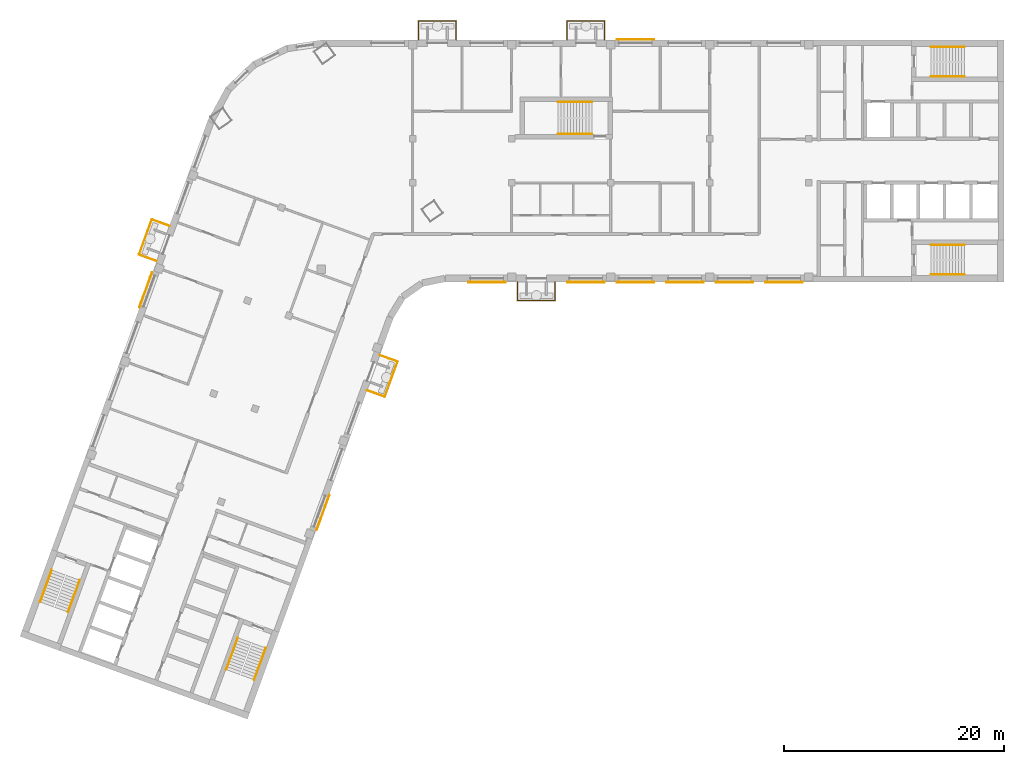
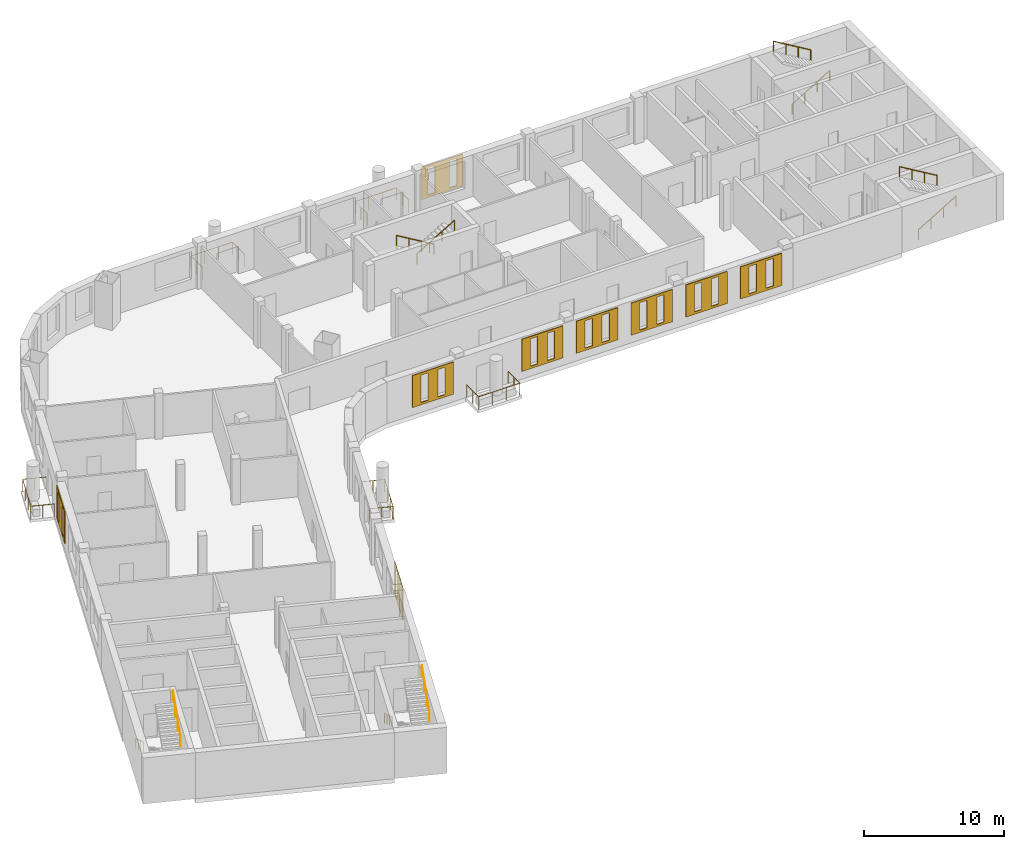
# One storey, part 8 of 10: 15 railings, 9 coverings.
"""IFC4 building model written with IfcOpenShell, lengths in metres."""

from ifc_helpers import new_model, si_unit, direction, frame, origin, origin_2d, place, context, subcontext, project, spatial, polyline, circle, outline, extrude, material, material_profile, profile_set, type_object, element, save


model = new_model("IFC4")

# Units and contexts
model_context = context("Model", 3, precision=1e-05, world=origin(), true_north=direction((0.0, 1.0)))
body_context = subcontext(model_context, "Body", "Model", "MODEL_VIEW")
ifc_project = project(units=[si_unit("LENGTHUNIT", "METRE"), si_unit("AREAUNIT", "SQUARE_METRE"), si_unit("VOLUMEUNIT", "CUBIC_METRE"), si_unit("PLANEANGLEUNIT", "RADIAN"), si_unit("MASSUNIT", "GRAM", prefix="KILO")], contexts=[model_context])

# Site, building, storey
site_placement = place(None, origin())
site = spatial("IfcSite", under=ifc_project, at=site_placement, CompositionType="ELEMENT")
building_placement = place(site_placement, origin())
building = spatial("IfcBuilding", under=site, at=building_placement, Name="Skarvind Civic Tower", CompositionType="ELEMENT")
storey_placement = place(building_placement, frame((0.0, 0.0, 228.0)))
storey = spatial("IfcBuildingStorey", under=building, at=storey_placement, Name="L54", CompositionType="ELEMENT", Elevation=228.0)

# Railings
ifc_material_1 = material(Name="Stainless steel balustrade", Category="steel")
railing_type_1 = type_object("IfcRailingType", Name="GR1 GUARD 1100", PredefinedType="GUARDRAIL", material=ifc_material_1)
railing_1_placement = place(storey_placement, frame((51.274658203125, 110.330322265625, 0.0)))
element("IfcRailing", 1, at=railing_1_placement, inside=storey, type_object=railing_type_1, Name="TREE BALCONY GUARD", PredefinedType="GUARDRAIL", context=body_context, shape_type="SweptSolid", body=[
    extrude(circle(Radius=0.02392578125, at=origin_2d()), frame((0.0, 0.0, 1.076171875), z_axis=(0.939684369409, -0.342042812948, 0.0), x_axis=(0.342042812948, 0.939684369409, 0.0)), (0.0, 0.0, 1.0), 1.7001953125),
    extrude(circle(Radius=0.02392578125, at=origin_2d()), frame((1.59765625, -0.58154296875, 1.076171875), z_axis=(-0.342088971896, -0.93966756638, 0.0), x_axis=(0.93966756638, -0.342088971896, 0.0)), (0.0, 0.0, 1.0), 3.39990234375),
    extrude(circle(Radius=0.02392578125, at=origin_2d()), frame((0.4345703125, -3.7763671875, 1.076171875), z_axis=(-0.93966756638, 0.342088971896, 0.0), x_axis=(-0.342088971896, -0.93966756638, 0.0)), (0.0, 0.0, 1.0), 1.699951171875),
    extrude(circle(Radius=0.02099609375, at=origin_2d()), origin(), (0.0, 0.0, 1.0), 1.052001953125),
    extrude(circle(Radius=0.02099609375, at=origin_2d()), frame((0.798828125, -0.290771484375, 0.0)), (0.0, 0.0, 1.0), 1.052001953125),
    extrude(circle(Radius=0.02099609375, at=origin_2d()), frame((1.59765625, -0.58154296875, 0.0)), (0.0, 0.0, 1.0), 1.052001953125),
    extrude(circle(Radius=0.02099609375, at=origin_2d()), frame((1.2099609375, -1.646484375, 0.0)), (0.0, 0.0, 1.0), 1.052001953125),
    extrude(circle(Radius=0.02099609375, at=origin_2d()), frame((0.822265625, -2.71142578125, 0.0)), (0.0, 0.0, 1.0), 1.052001953125),
    extrude(circle(Radius=0.02099609375, at=origin_2d()), frame((0.4345703125, -3.7763671875, 0.0)), (0.0, 0.0, 1.0), 1.052001953125),
    extrude(circle(Radius=0.02099609375, at=origin_2d()), frame((-0.3642578125, -3.485595703125, 0.0)), (0.0, 0.0, 1.0), 1.052001953125),
    extrude(circle(Radius=0.02099609375, at=origin_2d()), frame((-1.162841796875, -3.19482421875, 0.0)), (0.0, 0.0, 1.0), 1.052001953125),
])
railing_2_placement = place(storey_placement, frame((67.199951171875, 117.0, 0.0)))
element("IfcRailing", 2, at=railing_2_placement, inside=storey, type_object=railing_type_1, Name="TREE BALCONY GUARD", PredefinedType="GUARDRAIL", context=body_context, shape_type="SweptSolid", body=[
    extrude(circle(Radius=0.02392578125, at=origin_2d()), frame((0.0, 0.0, 1.076171875), z_axis=(0.0, -1.0, 0.0), x_axis=(1.0, 0.0, 0.0)), (0.0, 0.0, 1.0), 1.699951171875),
    extrude(circle(Radius=0.02392578125, at=origin_2d()), frame((0.0, -1.699951171875, 1.076171875), z_axis=(-1.0, 0.0, 0.0), x_axis=(0.0, -1.0, 0.0)), (0.0, 0.0, 1.0), 3.39990234375),
    extrude(circle(Radius=0.02392578125, at=origin_2d()), frame((-3.39990234375, -1.699951171875, 1.076171875), z_axis=(0.0, 1.0, 0.0), x_axis=(-1.0, 0.0, 0.0)), (0.0, 0.0, 1.0), 1.699951171875),
    extrude(circle(Radius=0.02099609375, at=origin_2d()), origin(), (0.0, 0.0, 1.0), 1.052001953125),
    extrude(circle(Radius=0.02099609375, at=origin_2d()), frame((0.0, -0.85009765625, 0.0)), (0.0, 0.0, 1.0), 1.052001953125),
    extrude(circle(Radius=0.02099609375, at=origin_2d()), frame((0.0, -1.699951171875, 0.0)), (0.0, 0.0, 1.0), 1.052001953125),
    extrude(circle(Radius=0.02099609375, at=origin_2d()), frame((-1.13330078125, -1.699951171875, 0.0)), (0.0, 0.0, 1.0), 1.052001953125),
    extrude(circle(Radius=0.02099609375, at=origin_2d()), frame((-2.2666015625, -1.699951171875, 0.0)), (0.0, 0.0, 1.0), 1.052001953125),
    extrude(circle(Radius=0.02099609375, at=origin_2d()), frame((-3.39990234375, -1.699951171875, 0.0)), (0.0, 0.0, 1.0), 1.052001953125),
    extrude(circle(Radius=0.02099609375, at=origin_2d()), frame((-3.39990234375, -0.85009765625, 0.0)), (0.0, 0.0, 1.0), 1.052001953125),
    extrude(circle(Radius=0.02099609375, at=origin_2d()), frame((-3.39990234375, 0.0, 0.0)), (0.0, 0.0, 1.0), 1.052001953125),
])
for number, where, name in (
    (3, (54.800048828125, 139.0, 0.0), "TREE BALCONY GUARD"),
    (4, (68.300048828125, 139.0, 0.0), "TREE BALCONY GUARD"),
):
    element("IfcRailing", number, at=place(storey_placement, frame(where)), inside=storey, type_object=railing_type_1, Name=name, PredefinedType="GUARDRAIL", context=body_context, shape_type="SweptSolid", body=[
        extrude(circle(Radius=0.02392578125, at=origin_2d()), frame((0.0, 0.0, 1.076171875), z_axis=(0.0, 1.0, 0.0), x_axis=(-1.0, 0.0, 0.0)), (0.0, 0.0, 1.0), 1.699951171875),
        extrude(circle(Radius=0.02392578125, at=origin_2d()), frame((0.0, 1.699951171875, 1.076171875), z_axis=(1.0, 0.0, 0.0), x_axis=(0.0, 1.0, 0.0)), (0.0, 0.0, 1.0), 3.39990234375),
        extrude(circle(Radius=0.02392578125, at=origin_2d()), frame((3.39990234375, 1.699951171875, 1.076171875), z_axis=(0.0, -1.0, 0.0), x_axis=(1.0, 0.0, 0.0)), (0.0, 0.0, 1.0), 1.699951171875),
        extrude(circle(Radius=0.02099609375, at=origin_2d()), origin(), (0.0, 0.0, 1.0), 1.052001953125),
        extrude(circle(Radius=0.02099609375, at=origin_2d()), frame((0.0, 0.85009765625, 0.0)), (0.0, 0.0, 1.0), 1.052001953125),
        extrude(circle(Radius=0.02099609375, at=origin_2d()), frame((0.0, 1.699951171875, 0.0)), (0.0, 0.0, 1.0), 1.052001953125),
        extrude(circle(Radius=0.02099609375, at=origin_2d()), frame((1.13330078125, 1.699951171875, 0.0)), (0.0, 0.0, 1.0), 1.052001953125),
        extrude(circle(Radius=0.02099609375, at=origin_2d()), frame((2.2666015625, 1.699951171875, 0.0)), (0.0, 0.0, 1.0), 1.052001953125),
        extrude(circle(Radius=0.02099609375, at=origin_2d()), frame((3.39990234375, 1.699951171875, 0.0)), (0.0, 0.0, 1.0), 1.052001953125),
        extrude(circle(Radius=0.02099609375, at=origin_2d()), frame((3.39990234375, 0.85009765625, 0.0)), (0.0, 0.0, 1.0), 1.052001953125),
        extrude(circle(Radius=0.02099609375, at=origin_2d()), frame((3.39990234375, 0.0, 0.0)), (0.0, 0.0, 1.0), 1.052001953125),
    ])
railing_3_placement = place(storey_placement, frame((30.977783203125, 118.888427734375, 0.0)))
element("IfcRailing", 5, at=railing_3_placement, inside=storey, type_object=railing_type_1, Name="TREE BALCONY GUARD", PredefinedType="GUARDRAIL", context=body_context, shape_type="SweptSolid", body=[
    extrude(circle(Radius=0.02392578125, at=origin_2d()), frame((0.0, 0.0, 1.076171875), z_axis=(-0.939684369409, 0.342042812948, 0.0), x_axis=(-0.342042812948, -0.939684369409, 0.0)), (0.0, 0.0, 1.0), 1.7001953125),
    extrude(circle(Radius=0.02392578125, at=origin_2d()), frame((-1.59765625, 0.58154296875, 1.076171875), z_axis=(0.342088971896, 0.93966756638, 0.0), x_axis=(-0.93966756638, 0.342088971896, 0.0)), (0.0, 0.0, 1.0), 3.39990234375),
    extrude(circle(Radius=0.02392578125, at=origin_2d()), frame((-0.4345703125, 3.7763671875, 1.076171875), z_axis=(0.939713724856, -0.341962154804, 0.0), x_axis=(0.341962154804, 0.939713724856, 0.0)), (0.0, 0.0, 1.0), 1.699951171875),
    extrude(circle(Radius=0.02099609375, at=origin_2d()), origin(), (0.0, 0.0, 1.0), 1.052001953125),
    extrude(circle(Radius=0.02099609375, at=origin_2d()), frame((-0.798828125, 0.290771484375, 0.0)), (0.0, 0.0, 1.0), 1.052001953125),
    extrude(circle(Radius=0.02099609375, at=origin_2d()), frame((-1.59765625, 0.58154296875, 0.0)), (0.0, 0.0, 1.0), 1.052001953125),
    extrude(circle(Radius=0.02099609375, at=origin_2d()), frame((-1.2099609375, 1.646484375, 0.0)), (0.0, 0.0, 1.0), 1.052001953125),
    extrude(circle(Radius=0.02099609375, at=origin_2d()), frame((-0.822265625, 2.71142578125, 0.0)), (0.0, 0.0, 1.0), 1.052001953125),
    extrude(circle(Radius=0.02099609375, at=origin_2d()), frame((-0.4345703125, 3.7763671875, 0.0)), (0.0, 0.0, 1.0), 1.052001953125),
    extrude(circle(Radius=0.02099609375, at=origin_2d()), frame((0.3642578125, 3.48583984375, 0.0)), (0.0, 0.0, 1.0), 1.052001953125),
    extrude(circle(Radius=0.02099609375, at=origin_2d()), frame((1.162841796875, 3.195068359375, 0.0)), (0.0, 0.0, 1.0), 1.052001953125),
])
ifc_material_2 = material(Name="Painted steel handrail", Category="steel")
railing_type_2 = type_object("IfcRailingType", Name="Stair handrail 900", PredefinedType="HANDRAIL", material=ifc_material_2)
railing_4_placement = place(storey_placement, frame((101.35009765625, 135.64990234375, 0.166748046875)))
element("IfcRailing", 6, at=railing_4_placement, inside=storey, type_object=railing_type_2, Name="Stair handrail", PredefinedType="HANDRAIL", context=body_context, shape_type="SweptSolid", body=[
    extrude(circle(Radius=0.02392578125, at=origin_2d()), frame((0.0, 0.0, 0.8759765625), z_axis=(0.859290745958, 0.0, 0.51148745235), x_axis=(0.0, 1.0, 0.0)), (0.0, 0.0, 1.0), 3.584228515625),
    extrude(circle(Radius=0.02099609375, at=origin_2d()), origin(), (0.0, 0.0, 1.0), 0.851806640625),
    extrude(circle(Radius=0.02099609375, at=origin_2d()), frame((1.026611328125, 0.0, 0.611083984375)), (0.0, 0.0, 1.0), 0.851806640625),
    extrude(circle(Radius=0.02099609375, at=origin_2d()), frame((2.05322265625, 0.0, 1.22216796875)), (0.0, 0.0, 1.0), 0.851806640625),
    extrude(circle(Radius=0.02099609375, at=origin_2d()), frame((3.079833984375, 0.0, 1.833251953125)), (0.0, 0.0, 1.0), 0.851806640625),
])
railing_5_placement = place(storey_placement, frame((104.429931640625, 138.35009765625, 2.166748046875)))
element("IfcRailing", 7, at=railing_5_placement, inside=storey, type_object=railing_type_2, Name="Stair handrail", PredefinedType="HANDRAIL", context=body_context, shape_type="SweptSolid", body=[
    extrude(circle(Radius=0.02392578125, at=origin_2d()), frame((0.0, 0.0, 0.8759765625), z_axis=(-0.859290745958, 0.0, 0.51148745235), x_axis=(0.0, -1.0, 0.0)), (0.0, 0.0, 1.0), 3.584228515625),
    extrude(circle(Radius=0.02099609375, at=origin_2d()), origin(), (0.0, 0.0, 1.0), 0.851806640625),
    extrude(circle(Radius=0.02099609375, at=origin_2d()), frame((-1.026611328125, 0.0, 0.611083984375)), (0.0, 0.0, 1.0), 0.851806640625),
    extrude(circle(Radius=0.02099609375, at=origin_2d()), frame((-2.05322265625, 0.0, 1.22216796875)), (0.0, 0.0, 1.0), 0.851806640625),
    extrude(circle(Radius=0.02099609375, at=origin_2d()), frame((-3.079833984375, 0.0, 1.833251953125)), (0.0, 0.0, 1.0), 0.851806640625),
])
railing_6_placement = place(storey_placement, frame((101.35009765625, 117.64990234375, 0.166748046875)))
element("IfcRailing", 8, at=railing_6_placement, inside=storey, type_object=railing_type_2, Name="Stair handrail", PredefinedType="HANDRAIL", context=body_context, shape_type="SweptSolid", body=[
    extrude(circle(Radius=0.02392578125, at=origin_2d()), frame((0.0, 0.0, 0.8759765625), z_axis=(0.859290745958, 0.0, 0.51148745235), x_axis=(0.0, 1.0, 0.0)), (0.0, 0.0, 1.0), 3.584228515625),
    extrude(circle(Radius=0.02099609375, at=origin_2d()), origin(), (0.0, 0.0, 1.0), 0.851806640625),
    extrude(circle(Radius=0.02099609375, at=origin_2d()), frame((1.026611328125, 0.0, 0.611083984375)), (0.0, 0.0, 1.0), 0.851806640625),
    extrude(circle(Radius=0.02099609375, at=origin_2d()), frame((2.05322265625, 0.0, 1.22216796875)), (0.0, 0.0, 1.0), 0.851806640625),
    extrude(circle(Radius=0.02099609375, at=origin_2d()), frame((3.079833984375, 0.0, 1.833251953125)), (0.0, 0.0, 1.0), 0.851806640625),
])
railing_7_placement = place(storey_placement, frame((104.429931640625, 120.35009765625, 2.166748046875)))
element("IfcRailing", 9, at=railing_7_placement, inside=storey, type_object=railing_type_2, Name="Stair handrail", PredefinedType="HANDRAIL", context=body_context, shape_type="SweptSolid", body=[
    extrude(circle(Radius=0.02392578125, at=origin_2d()), frame((0.0, 0.0, 0.8759765625), z_axis=(-0.859290745958, 0.0, 0.51148745235), x_axis=(0.0, -1.0, 0.0)), (0.0, 0.0, 1.0), 3.584228515625),
    extrude(circle(Radius=0.02099609375, at=origin_2d()), origin(), (0.0, 0.0, 1.0), 0.851806640625),
    extrude(circle(Radius=0.02099609375, at=origin_2d()), frame((-1.026611328125, 0.0, 0.611083984375)), (0.0, 0.0, 1.0), 0.851806640625),
    extrude(circle(Radius=0.02099609375, at=origin_2d()), frame((-2.05322265625, 0.0, 1.22216796875)), (0.0, 0.0, 1.0), 0.851806640625),
    extrude(circle(Radius=0.02099609375, at=origin_2d()), frame((-3.079833984375, 0.0, 1.833251953125)), (0.0, 0.0, 1.0), 0.851806640625),
])
railing_8_placement = place(storey_placement, frame((38.362060546875, 84.64794921875, 0.166748046875)))
element("IfcRailing", 10, at=railing_8_placement, inside=storey, type_object=railing_type_2, Name="Stair handrail", PredefinedType="HANDRAIL", context=body_context, shape_type="SweptSolid", body=[
    extrude(circle(Radius=0.02392578125, at=origin_2d()), frame((0.0, 0.0, 0.8759765625), z_axis=(-0.293908055923, -0.807480881337, 0.511461319103), x_axis=(0.939689235759, -0.342029443467, 0.0)), (0.0, 0.0, 1.0), 3.584228515625),
    extrude(circle(Radius=0.02099609375, at=origin_2d()), origin(), (0.0, 0.0, 1.0), 0.851806640625),
    extrude(circle(Radius=0.02099609375, at=origin_2d()), frame((-0.35107421875, -0.96484375, 0.611083984375)), (0.0, 0.0, 1.0), 0.851806640625),
    extrude(circle(Radius=0.02099609375, at=origin_2d()), frame((-0.702392578125, -1.929443359375, 1.22216796875)), (0.0, 0.0, 1.0), 0.851806640625),
    extrude(circle(Radius=0.02099609375, at=origin_2d()), frame((-1.053466796875, -2.894287109375, 1.833251953125)), (0.0, 0.0, 1.0), 0.851806640625),
])
railing_9_placement = place(storey_placement, frame((39.845703125, 80.830078125, 2.166748046875)))
element("IfcRailing", 11, at=railing_9_placement, inside=storey, type_object=railing_type_2, Name="Stair handrail", PredefinedType="HANDRAIL", context=body_context, shape_type="SweptSolid", body=[
    extrude(circle(Radius=0.02392578125, at=origin_2d()), frame((0.0, 0.0, 0.8759765625), z_axis=(0.293908055923, 0.807480881337, 0.511461319103), x_axis=(-0.939689235759, 0.342029443467, 0.0)), (0.0, 0.0, 1.0), 3.584228515625),
    extrude(circle(Radius=0.02099609375, at=origin_2d()), origin(), (0.0, 0.0, 1.0), 0.851806640625),
    extrude(circle(Radius=0.02099609375, at=origin_2d()), frame((0.35107421875, 0.96484375, 0.611083984375)), (0.0, 0.0, 1.0), 0.851806640625),
    extrude(circle(Radius=0.02099609375, at=origin_2d()), frame((0.702392578125, 1.929443359375, 1.22216796875)), (0.0, 0.0, 1.0), 0.851806640625),
    extrude(circle(Radius=0.02099609375, at=origin_2d()), frame((1.053466796875, 2.894287109375, 1.833251953125)), (0.0, 0.0, 1.0), 0.851806640625),
])
railing_10_placement = place(storey_placement, frame((21.447509765625, 90.80419921875, 0.166748046875)))
element("IfcRailing", 12, at=railing_10_placement, inside=storey, type_object=railing_type_2, Name="Stair handrail", PredefinedType="HANDRAIL", context=body_context, shape_type="SweptSolid", body=[
    extrude(circle(Radius=0.02392578125, at=origin_2d()), frame((0.0, 0.0, 0.8759765625), z_axis=(-0.293845824691, -0.807497044902, 0.511471557163), x_axis=(0.939714709796, -0.34195944817, 0.0)), (0.0, 0.0, 1.0), 3.584228515625),
    extrude(circle(Radius=0.02099609375, at=origin_2d()), origin(), (0.0, 0.0, 1.0), 0.851806640625),
    extrude(circle(Radius=0.02099609375, at=origin_2d()), frame((-0.35107421875, -0.96484375, 0.611083984375)), (0.0, 0.0, 1.0), 0.851806640625),
    extrude(circle(Radius=0.02099609375, at=origin_2d()), frame((-0.7021484375, -1.929443359375, 1.22216796875)), (0.0, 0.0, 1.0), 0.851806640625),
    extrude(circle(Radius=0.02099609375, at=origin_2d()), frame((-1.05322265625, -2.894287109375, 1.833251953125)), (0.0, 0.0, 1.0), 0.851806640625),
])
railing_11_placement = place(storey_placement, frame((22.931396484375, 86.986572265625, 2.166748046875)))
element("IfcRailing", 13, at=railing_11_placement, inside=storey, type_object=railing_type_2, Name="Stair handrail", PredefinedType="HANDRAIL", context=body_context, shape_type="SweptSolid", body=[
    extrude(circle(Radius=0.02392578125, at=origin_2d()), frame((0.0, 0.0, 0.8759765625), z_axis=(0.293908055923, 0.807480881337, 0.511461319103), x_axis=(-0.939689235759, 0.342029443467, 0.0)), (0.0, 0.0, 1.0), 3.584228515625),
    extrude(circle(Radius=0.02099609375, at=origin_2d()), origin(), (0.0, 0.0, 1.0), 0.851806640625),
    extrude(circle(Radius=0.02099609375, at=origin_2d()), frame((0.35107421875, 0.96484375, 0.611083984375)), (0.0, 0.0, 1.0), 0.851806640625),
    extrude(circle(Radius=0.02099609375, at=origin_2d()), frame((0.702392578125, 1.929443359375, 1.22216796875)), (0.0, 0.0, 1.0), 0.851806640625),
    extrude(circle(Radius=0.02099609375, at=origin_2d()), frame((1.053466796875, 2.894287109375, 1.833251953125)), (0.0, 0.0, 1.0), 0.851806640625),
])
railing_12_placement = place(storey_placement, frame((70.550048828125, 133.35009765625, 0.166748046875)))
element("IfcRailing", 14, at=railing_12_placement, inside=storey, type_object=railing_type_2, Name="Stair handrail", PredefinedType="HANDRAIL", context=body_context, shape_type="SweptSolid", body=[
    extrude(circle(Radius=0.02392578125, at=origin_2d()), frame((0.0, 0.0, 0.8759765625), z_axis=(-0.859308565015, 0.0, 0.511457515432), x_axis=(0.0, -1.0, 0.0)), (0.0, 0.0, 1.0), 3.58447265625),
    extrude(circle(Radius=0.02099609375, at=origin_2d()), origin(), (0.0, 0.0, 1.0), 0.851806640625),
    extrude(circle(Radius=0.02099609375, at=origin_2d()), frame((-1.026611328125, 0.0, 0.611083984375)), (0.0, 0.0, 1.0), 0.851806640625),
    extrude(circle(Radius=0.02099609375, at=origin_2d()), frame((-2.053466796875, 0.0, 1.22216796875)), (0.0, 0.0, 1.0), 0.851806640625),
    extrude(circle(Radius=0.02099609375, at=origin_2d()), frame((-3.080078125, 0.0, 1.833251953125)), (0.0, 0.0, 1.0), 0.851806640625),
])
railing_13_placement = place(storey_placement, frame((67.469970703125, 130.449951171875, 2.166748046875)))
element("IfcRailing", 15, at=railing_13_placement, inside=storey, type_object=railing_type_2, Name="Stair handrail", PredefinedType="HANDRAIL", context=body_context, shape_type="SweptSolid", body=[
    extrude(circle(Radius=0.02392578125, at=origin_2d()), frame((0.0, 0.0, 0.8759765625), z_axis=(0.859308565015, 0.0, 0.511457515432), x_axis=(0.0, 1.0, 0.0)), (0.0, 0.0, 1.0), 3.58447265625),
    extrude(circle(Radius=0.02099609375, at=origin_2d()), origin(), (0.0, 0.0, 1.0), 0.851806640625),
    extrude(circle(Radius=0.02099609375, at=origin_2d()), frame((1.026611328125, 0.0, 0.611083984375)), (0.0, 0.0, 1.0), 0.851806640625),
    extrude(circle(Radius=0.02099609375, at=origin_2d()), frame((2.053466796875, 0.0, 1.22216796875)), (0.0, 0.0, 1.0), 0.851806640625),
    extrude(circle(Radius=0.02099609375, at=origin_2d()), frame((3.080078125, 0.0, 1.833251953125)), (0.0, 0.0, 1.0), 0.851806640625),
])

# Coverings
ifc_material_3 = material(Name="Terracotta", Category="masonry")
ifc_material_profile_1 = material_profile(ifc_material_3, outline(polyline([(-1.699951171875, -1.39990234375), (1.699951171875, -1.39990234375), (1.699951171875, 1.39990234375), (-1.699951171875, 1.39990234375), (-1.699951171875, -1.39990234375)]), holes=[polyline([(-1.0, -1.18994140625), (-0.39990234375, -1.18994140625), (-0.39990234375, 1.18994140625), (-1.0, 1.18994140625), (-1.0, -1.18994140625)]), polyline([(0.39990234375, -1.18994140625), (1.0, -1.18994140625), (1.0, 1.18994140625), (0.39990234375, 1.18994140625), (0.39990234375, -1.18994140625)])]), Name="TERRACOTTA SCREEN 3400 x 2800, SLIT PITCH 1400")
ifc_profile_set_1 = profile_set([ifc_material_profile_1], Name="Terracotta")
covering_type_1 = type_object("IfcCoveringType", Name="TERRACOTTA SCREEN 3400 x 2800, SLIT PITCH 1400", PredefinedType="CLADDING", material=ifc_profile_set_1)
for number, where, z_axis, x_axis, name in (
    (16, (88.0, 117.0, 2.10009765625), (0.0, -1.0, 0.0), (1.0, 0.0, 0.0), "TERRACOTTA SCREEN"),
    (17, (83.5, 117.0, 2.10009765625), (0.0, -1.0, 0.0), (1.0, 0.0, 0.0), "TERRACOTTA SCREEN"),
    (18, (79.0, 117.0, 2.10009765625), (0.0, -1.0, 0.0), (1.0, 0.0, 0.0), "TERRACOTTA SCREEN"),
    (19, (74.5, 117.0, 2.10009765625), (0.0, -1.0, 0.0), (1.0, 0.0, 0.0), "TERRACOTTA SCREEN"),
    (20, (70.0, 117.0, 2.10009765625), (0.0, -1.0, 0.0), (1.0, 0.0, 0.0), "TERRACOTTA SCREEN"),
    (21, (61.0, 117.0, 2.10009765625), (0.0, -1.0, 0.0), (1.0, 0.0, 0.0), "TERRACOTTA SCREEN"),
):
    element("IfcCovering", number, at=place(storey_placement, frame(where, z_axis=z_axis, x_axis=x_axis)), inside=storey, type_object=covering_type_1, Name=name, PredefinedType="CLADDING", context=body_context, shape_type="SweptSolid", body=[
        extrude(outline(polyline([(-1.699951171875, -1.39990234375), (1.699951171875, -1.39990234375), (1.699951171875, 1.39990234375), (-1.699951171875, 1.39990234375), (-1.699951171875, -1.39990234375)]), holes=[polyline([(-1.0, -1.18994140625), (-0.39990234375, -1.18994140625), (-0.39990234375, 1.18994140625), (-1.0, 1.18994140625), (-1.0, -1.18994140625)]), polyline([(0.39990234375, -1.18994140625), (1.0, -1.18994140625), (1.0, 1.18994140625), (0.39990234375, 1.18994140625), (0.39990234375, -1.18994140625)])]), origin(), (0.0, 0.0, 1.0), 0.06005859375),
    ])
ifc_material_profile_2 = material_profile(ifc_material_3, outline(polyline([(-1.699951171875, -1.39990234375), (1.699951171875, -1.39990234375), (1.699951171875, 1.39990234375), (-1.699951171875, 1.39990234375), (-1.699951171875, -1.39990234375)]), holes=[polyline([(-1.199951171875, -1.18994140625), (-0.60009765625, -1.18994140625), (-0.60009765625, 1.18994140625), (-1.199951171875, 1.18994140625), (-1.199951171875, -1.18994140625)]), polyline([(0.60009765625, -1.18994140625), (1.199951171875, -1.18994140625), (1.199951171875, 1.18994140625), (0.60009765625, 1.18994140625), (0.60009765625, -1.18994140625)])]), Name="TERRACOTTA SCREEN 3400 x 2800, SLIT PITCH 1800")
ifc_profile_set_2 = profile_set([ifc_material_profile_2], Name="Terracotta")
covering_type_2 = type_object("IfcCoveringType", Name="TERRACOTTA SCREEN 3400 x 2800, SLIT PITCH 1800", PredefinedType="CLADDING", material=ifc_profile_set_2)
for number, where, z_axis, x_axis, name in (
    (22, (46.075927734375, 96.047119140625, 2.10009765625), (0.939793423488, -0.341743063087, 0.0), (0.341743063087, 0.939793423488, 0.0), "TERRACOTTA SCREEN"),
    (23, (74.5, 139.0, 2.10009765625), (0.0, 1.0, 0.0), (-1.0, 0.0, 0.0), "TERRACOTTA SCREEN"),
    (24, (30.02001953125, 116.25732421875, 2.10009765625), (-0.939793423488, 0.341743063087, 0.0), (-0.341743063087, -0.939793423488, 0.0), "TERRACOTTA SCREEN"),
):
    element("IfcCovering", number, at=place(storey_placement, frame(where, z_axis=z_axis, x_axis=x_axis)), inside=storey, type_object=covering_type_2, Name=name, PredefinedType="CLADDING", context=body_context, shape_type="SweptSolid", body=[
        extrude(outline(polyline([(-1.699951171875, -1.39990234375), (1.699951171875, -1.39990234375), (1.699951171875, 1.39990234375), (-1.699951171875, 1.39990234375), (-1.699951171875, -1.39990234375)]), holes=[polyline([(-1.199951171875, -1.18994140625), (-0.60009765625, -1.18994140625), (-0.60009765625, 1.18994140625), (-1.199951171875, 1.18994140625), (-1.199951171875, -1.18994140625)]), polyline([(0.60009765625, -1.18994140625), (1.199951171875, -1.18994140625), (1.199951171875, 1.18994140625), (0.60009765625, 1.18994140625), (0.60009765625, -1.18994140625)])]), origin(), (0.0, 0.0, 1.0), 0.06005859375),
    ])

save(model, "model.ifc")
